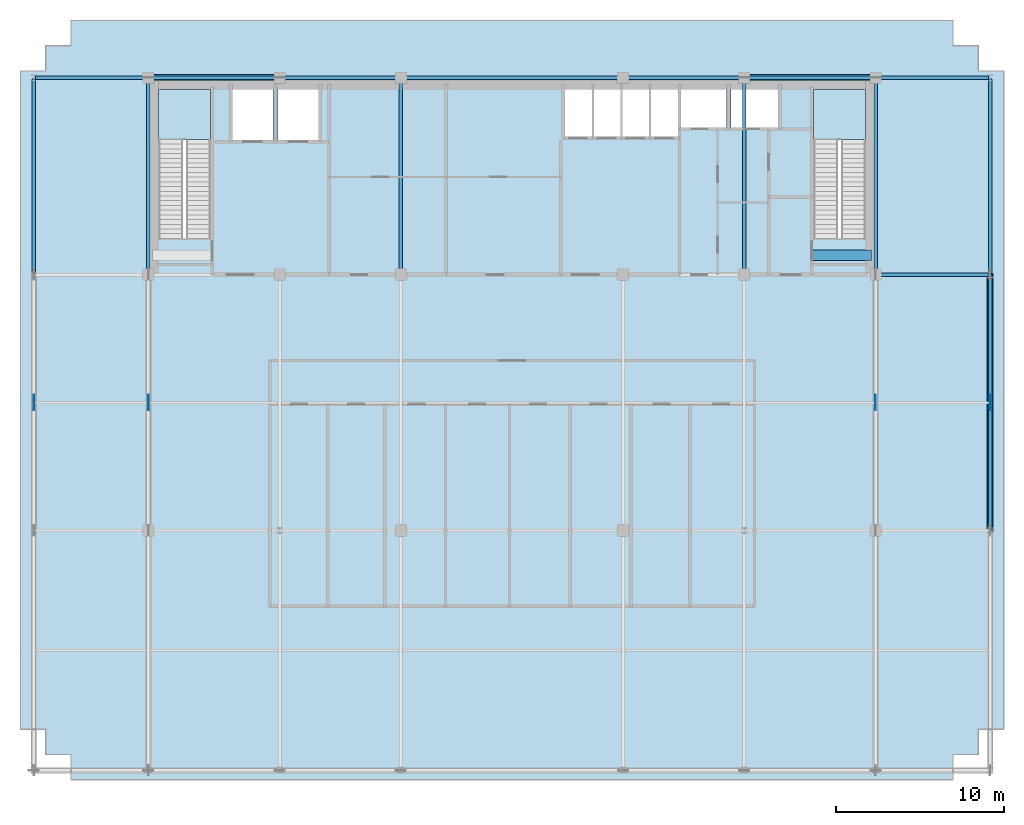
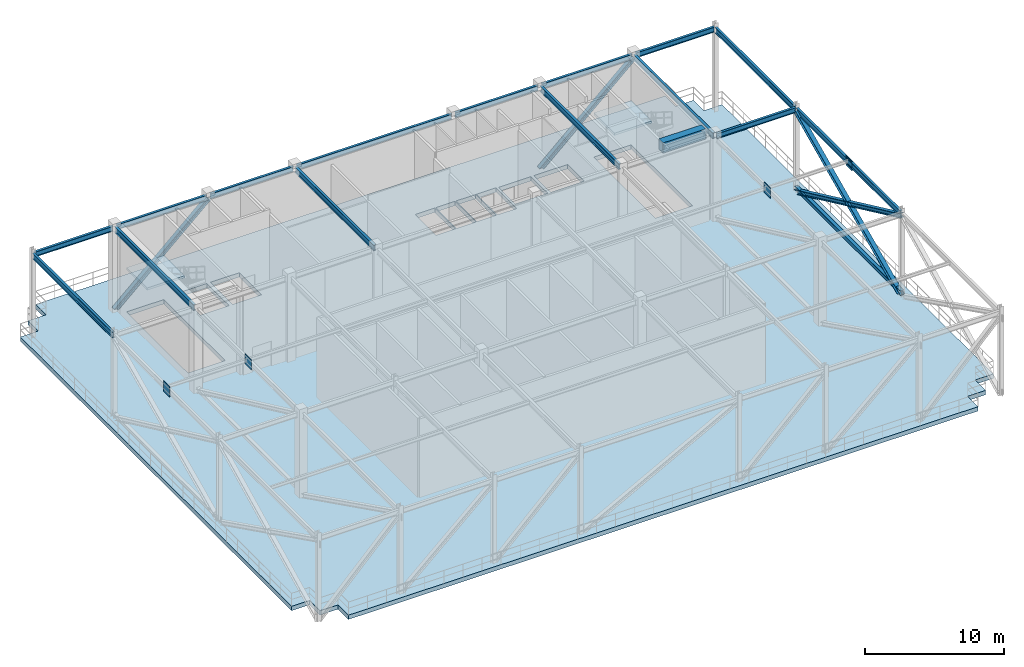
# One storey, part 6 of 15: 16 beams, 5 members, 4 plates, 3 slabs, 2 elements without a shape of their own.
"""IFC4 building model written with IfcOpenShell, lengths in metres."""

import ifcopenshell
import ifcopenshell.guid

model = None  # the IFC model being written
_history = None  # IfcOwnerHistory: only IFC2X3 demands one
_inside = {}  # id of a spatial element -> (the spatial element, [elements in it])
_under = {}  # id of a project, library or spatial element -> (it, [spatial elements below it])
_declared = {}  # id of a project -> (the project, [libraries it declares])
_typed = {}  # id of a type object -> (the type object, [elements of that type])
_made_of = {}  # id of a material, layer set ... -> (it, [elements and type objects made of it])


def new_model(schema):
    """Start an empty IFC model of exactly this schema.

    Asked for "IFC4X3", IfcOpenShell would pick the latest addendum, in which some entities
    have other attributes; the version numbers below select the first issue.
    IFC2X3 requires an IfcOwnerHistory on every rooted entity: one is made here for all.
    """
    global model, _history
    if schema == "IFC4X3":
        model = ifcopenshell.file(schema_version=(4, 3, 0, 0))
    else:
        model = ifcopenshell.file(schema=schema)
    _inside.clear()
    _under.clear()
    _declared.clear()
    _typed.clear()
    _made_of.clear()
    _history = None
    if model.schema == "IFC2X3":
        org = make("IfcOrganization", Name="unknown")
        user = make(
            "IfcPersonAndOrganization",
            ThePerson=make("IfcPerson", FamilyName="unknown"),
            TheOrganization=org,
        )
        app = make(
            "IfcApplication",
            ApplicationDeveloper=org,
            Version="unknown",
            ApplicationFullName="unknown",
            ApplicationIdentifier="unknown",
        )
        _history = make(
            "IfcOwnerHistory",
            OwningUser=user,
            OwningApplication=app,
            ChangeAction="ADDED",
            CreationDate=0,
        )
    return model


def make(cls, **values):
    """One entity of the class cls with the attributes given. An attribute that is None is left unset."""
    return model.create_entity(
        cls, **{name: value for name, value in values.items() if value is not None}
    )


def rooted(cls, **values):
    """An entity with a GlobalId (a new one), such as an element, a storey or a relation."""
    return make(cls, GlobalId=ifcopenshell.guid.new(), OwnerHistory=_history, **values)


def si_unit(unit_type, name, prefix=None):
    """IfcSIUnit, for example si_unit("LENGTHUNIT", "METRE", prefix="MILLI")."""
    return make("IfcSIUnit", UnitType=unit_type, Prefix=prefix, Name=name)


def assignment(units):
    """IfcUnitAssignment: the units of a project."""
    return None if units is None else make("IfcUnitAssignment", Units=units)


def point(xyz):
    """IfcCartesianPoint."""
    return None if xyz is None else make("IfcCartesianPoint", Coordinates=xyz)


def direction(xyz):
    """IfcDirection."""
    return None if xyz is None else make("IfcDirection", DirectionRatios=xyz)


def frame(location, z_axis=None, x_axis=None):
    """IfcAxis2Placement3D, a coordinate frame: its origin and axes. An axis left out is left unset."""
    return make(
        "IfcAxis2Placement3D",
        Location=point(location),
        Axis=direction(z_axis),
        RefDirection=direction(x_axis),
    )


def frame_2d(location, x_axis=None):
    """IfcAxis2Placement2D, a coordinate frame in the plane: its origin and x axis."""
    return make(
        "IfcAxis2Placement2D", Location=point(location), RefDirection=direction(x_axis)
    )


def origin():
    """The frame at (0, 0, 0) with its axes left unset."""
    return frame((0.0, 0.0, 0.0))


def origin_2d():
    """The frame at (0, 0) in the plane with its x axis left unset."""
    return frame_2d((0.0, 0.0))


def place(relative_to, where):
    """IfcLocalPlacement: puts the frame where relative to a parent placement (None: the world)."""
    return make(
        "IfcLocalPlacement", PlacementRelTo=relative_to, RelativePlacement=where
    )


def context(
    kind, dimensions, precision=None, world=None, true_north=None, identifier=None
):
    """IfcGeometricRepresentationContext, for example the 3D "Model" context."""
    return make(
        "IfcGeometricRepresentationContext",
        ContextIdentifier=identifier,
        ContextType=kind,
        CoordinateSpaceDimension=dimensions,
        Precision=precision,
        WorldCoordinateSystem=world,
        TrueNorth=true_north,
    )


def subcontext(parent, identifier, kind, view, scale=None):
    """IfcGeometricRepresentationSubContext, for example "Body" below "Model"."""
    return make(
        "IfcGeometricRepresentationSubContext",
        ContextIdentifier=identifier,
        ContextType=kind,
        ParentContext=parent,
        TargetScale=scale,
        TargetView=view,
    )


def project(units=None, contexts=None):
    """IfcProject with its units and contexts."""
    return rooted(
        "IfcProject",
        Name="project",
        RepresentationContexts=contexts,
        UnitsInContext=assignment(units),
    )


def spatial(cls, under=None, at=None, **own):
    """A site, building, storey or space (cls), placed at a placement, below another one or the project."""
    s = rooted(cls, ObjectPlacement=at, **own)
    if under is not None:
        _under.setdefault(under.id(), (under, []))[1].append(s)
    return s


def polyline(points):
    """IfcPolyline through the points."""
    return make("IfcPolyline", Points=[point(p) for p in points])


def profile(cls, at=None, kind="AREA", **sizes):
    """A parametric profile (cls). Its sizes go by their IFC names, for example OverallWidth=200.0."""
    return make(cls, ProfileType=kind, Position=at, **sizes)


def rectangle(**sizes):
    """IfcRectangleProfileDef."""
    return profile("IfcRectangleProfileDef", **sizes)


def i_section(**sizes):
    """IfcIShapeProfileDef."""
    return profile("IfcIShapeProfileDef", **sizes)


def outline(outer, holes=None, kind="AREA"):
    """IfcArbitraryClosedProfileDef: a profile drawn as a closed curve; with holes, ...WithVoids."""
    if holes is None:
        return make("IfcArbitraryClosedProfileDef", ProfileType=kind, OuterCurve=outer)
    return make(
        "IfcArbitraryProfileDefWithVoids",
        ProfileType=kind,
        OuterCurve=outer,
        InnerCurves=holes,
    )


def extrude(swept, where, along, depth):
    """IfcExtrudedAreaSolid: the profile swept, set in the frame where, extruded along a direction by depth."""
    return make(
        "IfcExtrudedAreaSolid",
        SweptArea=swept,
        Position=where,
        ExtrudedDirection=direction(along),
        Depth=depth,
    )


def shape(context_of_items, identifier, shape_type, items):
    """IfcShapeRepresentation: the items that make up one representation, for example the "Body"."""
    return make(
        "IfcShapeRepresentation",
        ContextOfItems=context_of_items,
        RepresentationIdentifier=identifier,
        RepresentationType=shape_type,
        Items=items,
    )


def source(mapping_origin, context_of_items, identifier, shape_type, items):
    """IfcRepresentationMap: a shape defined once, which mapped items show again and again."""
    return make(
        "IfcRepresentationMap",
        MappingOrigin=mapping_origin,
        MappedRepresentation=shape(context_of_items, identifier, shape_type, items),
    )


def transform(
    local_origin,
    x_axis=None,
    y_axis=None,
    z_axis=None,
    scale=None,
    scale2=None,
    scale3=None,
    uniform=True,
):
    """IfcCartesianTransformationOperator3D, or its non-uniform kind. x_axis, y_axis, z_axis: its Axis1, 2, 3."""
    if uniform:
        return make(
            "IfcCartesianTransformationOperator3D",
            Axis1=direction(x_axis),
            Axis2=direction(y_axis),
            LocalOrigin=point(local_origin),
            Scale=scale,
            Axis3=direction(z_axis),
        )
    return make(
        "IfcCartesianTransformationOperator3DnonUniform",
        Axis1=direction(x_axis),
        Axis2=direction(y_axis),
        LocalOrigin=point(local_origin),
        Scale=scale,
        Axis3=direction(z_axis),
        Scale2=scale2,
        Scale3=scale3,
    )


def mapped(mapping_source, mapping_target):
    """IfcMappedItem: shows the shape of a source again, moved by a transform."""
    return make(
        "IfcMappedItem", MappingSource=mapping_source, MappingTarget=mapping_target
    )


def material(Name=None, Category=None):
    """IfcMaterial."""
    return make("IfcMaterial", Name=Name, Category=Category)


def layer(
    of_material, thickness, ventilated=None, Name=None, Category=None, Priority=None
):
    """IfcMaterialLayer: one layer of a wall or slab, of a material (None: an air gap)."""
    return make(
        "IfcMaterialLayer",
        Material=of_material,
        LayerThickness=thickness,
        IsVentilated=ventilated,
        Name=Name,
        Category=Category,
        Priority=Priority,
    )


def layer_set(layers, Name=None):
    """IfcMaterialLayerSet."""
    return make("IfcMaterialLayerSet", MaterialLayers=layers, LayerSetName=Name)


def material_profile(
    of_material, cross_section, Name=None, Category=None, Priority=None
):
    """IfcMaterialProfile: a cross section and its material."""
    return make(
        "IfcMaterialProfile",
        Name=Name,
        Material=of_material,
        Profile=cross_section,
        Priority=Priority,
        Category=Category,
    )


def profile_set(profiles, Name=None, composite=None):
    """IfcMaterialProfileSet."""
    return make(
        "IfcMaterialProfileSet",
        Name=Name,
        MaterialProfiles=profiles,
        CompositeProfile=composite,
    )


def made_of(thing, what):
    """Note that an element or type object is made of a material, layer set ...; save() writes the relation."""
    if what is not None:
        _made_of.setdefault(what.id(), (what, []))[1].append(thing)
    return thing


def type_object(cls, material=None, **own):
    """A type object (cls), such as IfcWallType, which elements share."""
    return made_of(rooted(cls, **own), material)


def element(
    cls,
    number,
    at=None,
    inside=None,
    cuts=None,
    type_object=None,
    material=None,
    context=None,
    identifier="Body",
    shape_type=None,
    held_by="IfcProductDefinitionShape",
    body=None,
    shapes=None,
    **own,
):
    """One element of the class cls, such as IfcWall. Its Tag is "e" and its number.

    at: its placement. inside: the storey or other place that contains it. cuts: it is an
    opening in that element (IfcRelVoidsElement). A single representation is given by context,
    identifier, shape_type and body (its items); several are given by shapes. held_by: the class
    of the entity that holds the representations. save() writes the other relations.
    """
    e = rooted(cls, Tag="e%d" % number, ObjectPlacement=at, **own)
    if body is not None:
        shapes = [shape(context, identifier, shape_type, body)]
    if shapes is not None:
        e.Representation = make(held_by, Representations=shapes)
    if inside is not None:
        _inside.setdefault(inside.id(), (inside, []))[1].append(e)
    if cuts is not None:
        rooted(
            "IfcRelVoidsElement", RelatingBuildingElement=cuts, RelatedOpeningElement=e
        )
    if type_object is not None:
        _typed.setdefault(type_object.id(), (type_object, []))[1].append(e)
    return made_of(e, material)


def aggregate(whole, parts):
    """IfcRelAggregates: a whole, such as a stair, and the parts it consists of."""
    return rooted("IfcRelAggregates", RelatingObject=whole, RelatedObjects=parts)


def save(model, path):
    """Write the relations noted so far, then the file.

    IfcRelAggregates (storeys below a building ...), IfcRelContainedInSpatialStructure (elements
    in a storey), IfcRelDefinesByType, IfcRelAssociatesMaterial and IfcRelDeclares: one each for
    every whole, place, type object, material and project.
    """
    for whole, parts in _under.values():
        aggregate(whole, parts)
    for where, things in _inside.values():
        rooted(
            "IfcRelContainedInSpatialStructure",
            RelatedElements=things,
            RelatingStructure=where,
        )
    for kind, things in _typed.values():
        rooted("IfcRelDefinesByType", RelatedObjects=things, RelatingType=kind)
    for what, things in _made_of.values():
        rooted("IfcRelAssociatesMaterial", RelatedObjects=things, RelatingMaterial=what)
    for by, libraries in _declared.values():
        rooted("IfcRelDeclares", RelatingContext=by, RelatedDefinitions=libraries)
    model.write(path)


model = new_model("IFC4")

# Units and contexts
model_context = context("Model", 3, precision=1e-05, world=origin(), true_north=direction((0.0, 1.0)))
body_context = subcontext(model_context, "Body", "Model", "MODEL_VIEW")
ifc_project = project(units=[si_unit("LENGTHUNIT", "METRE"), si_unit("AREAUNIT", "SQUARE_METRE"), si_unit("VOLUMEUNIT", "CUBIC_METRE"), si_unit("PLANEANGLEUNIT", "RADIAN"), si_unit("MASSUNIT", "GRAM", prefix="KILO")], contexts=[model_context])

# Site, building, storey
site_placement = place(None, origin())
site = spatial("IfcSite", under=ifc_project, at=site_placement, CompositionType="ELEMENT")
building_placement = place(site_placement, origin())
building = spatial("IfcBuilding", under=site, at=building_placement, Name="Trelvane Seafront Commons", CompositionType="ELEMENT")
storey_placement = place(building_placement, frame((0.0, 0.0, 240.89990234375)))
storey = spatial("IfcBuildingStorey", under=building, at=storey_placement, Name="L63", CompositionType="ELEMENT", Elevation=240.89990234375)

# Beams
ifc_material_1 = material(Name="Concrete C60/75", Category="concrete")
ifc_material_profile_1 = material_profile(ifc_material_1, rectangle(XDim=0.60009765625, YDim=0.89990234375, at=origin_2d()), Name="RC-600x900")
ifc_profile_set_1 = profile_set([ifc_material_profile_1], Name="Concrete C60/75")
beam_type_1 = type_object("IfcBeamType", Name="STR-LNT-RC600x900", PredefinedType="LINTEL", material=ifc_profile_set_1)
shared_shape_1 = source(origin(), body_context, "Body", "SweptSolid", [
    extrude(rectangle(XDim=0.60009765625, YDim=0.89990234375, at=origin_2d()), origin(), (0.0, 0.0, 1.0), 3.550048828125),
])
beam_1_placement = place(storey_placement, frame((55.0, 34.550048828125, 6.989990234375), z_axis=(1.0, 0.0, 0.0), x_axis=(0.0, 1.0, 0.0)))
element("IfcBeam", 1, at=beam_1_placement, inside=storey, type_object=beam_type_1, Name="L63 Core Coupling Lintel Beam CB-68", PredefinedType="LINTEL", context=body_context, shape_type="MappedRepresentation", body=[
    mapped(shared_shape_1, transform((0.0, 0.0, 0.0), x_axis=(1.0, 0.0, 0.0), y_axis=(0.0, 1.0, 0.0), z_axis=(0.0, 0.0, 1.0), scale=1.0)),
])
ifc_material_2 = material(Name="Steel SM355 (S355)", Category="steel")
ifc_material_profile_2 = material_profile(ifc_material_2, i_section(OverallWidth=0.199951171875, OverallDepth=0.5, WebThickness=0.010009765625, FlangeThickness=0.01611328125, at=origin_2d()), Name="H-500x200x10x16")
ifc_profile_set_2 = profile_set([ifc_material_profile_2], Name="Steel SM355 (S355)")
beam_type_2 = type_object("IfcBeamType", Name="STR-BM-H500", PredefinedType="BEAM", material=ifc_profile_set_2)
shared_shape_2 = source(origin(), body_context, "Body", "SweptSolid", [
    extrude(i_section(OverallWidth=0.199951171875, OverallDepth=0.5, WebThickness=0.010009765625, FlangeThickness=0.01611328125, at=origin_2d()), origin(), (0.0, 0.0, 1.0), 11.39990234375),
])
for number, where, z_axis, x_axis, name in (
    (2, (15.60009765625, 33.550048828125, 7.190185546875), (0.0, 1.0, 0.0), (-1.0, 0.0, 0.0), "L63 Primary Girder G-34"),
    (3, (30.60009765625, 33.550048828125, 7.190185546875), (0.0, 1.0, 0.0), (-1.0, 0.0, 0.0), "L63 Primary Girder G-40"),
    (4, (51.0, 33.550048828125, 7.190185546875), (0.0, 1.0, 0.0), (-1.0, 0.0, 0.0), "L63 Primary Girder G-46"),
    (5, (58.800048828125, 33.550048828125, 7.190185546875), (0.0, 1.0, 0.0), (-1.0, 0.0, 0.0), "L63 Primary Girder G-49"),
):
    element("IfcBeam", number, at=place(storey_placement, frame(where, z_axis=z_axis, x_axis=x_axis)), inside=storey, type_object=beam_type_2, Name=name, PredefinedType="BEAM", context=body_context, shape_type="MappedRepresentation", body=[
        mapped(shared_shape_2, transform((0.0, 0.0, 0.0), x_axis=(1.0, 0.0, 0.0), y_axis=(0.0, 1.0, 0.0), z_axis=(0.0, 0.0, 1.0), scale=1.0)),
    ])
ifc_material_profile_3 = material_profile(ifc_material_2, i_section(OverallWidth=0.199951171875, OverallDepth=0.449951171875, WebThickness=0.009033203125, FlangeThickness=0.013916015625, at=origin_2d()), Name="H-450x200x9x14")
ifc_profile_set_3 = profile_set([ifc_material_profile_3], Name="Steel SM355 (S355)")
beam_type_3 = type_object("IfcBeamType", Name="STR-SPD-H450", PredefinedType="SPANDREL", material=ifc_profile_set_3)
shared_shape_3 = source(origin(), body_context, "Body", "SweptSolid", [
    extrude(i_section(OverallWidth=0.199951171875, OverallDepth=0.449951171875, WebThickness=0.009033203125, FlangeThickness=0.013916015625, at=origin_2d()), origin(), (0.0, 0.0, 1.0), 6.5625),
])
for number, where, z_axis, x_axis, name in (
    (6, (58.949951171875, 33.39990234375, 7.215087890625), (1.0, 0.0, 0.0), (0.0, 1.0, 0.0), "L63 Primary Girder G-21"),
    (7, (8.887451171875, 45.10009765625, 7.215087890625), (1.0, 0.0, 0.0), (0.0, 1.0, 0.0), "L63 Primary Girder G-22"),
    (8, (58.949951171875, 45.10009765625, 7.215087890625), (1.0, 0.0, 0.0), (0.0, 1.0, 0.0), "L63 Primary Girder G-28"),
):
    element("IfcBeam", number, at=place(storey_placement, frame(where, z_axis=z_axis, x_axis=x_axis)), inside=storey, type_object=beam_type_3, Name=name, PredefinedType="SPANDREL", context=body_context, shape_type="MappedRepresentation", body=[
        mapped(shared_shape_3, transform((0.0, 0.0, 0.0), x_axis=(1.0, 0.0, 0.0), y_axis=(0.0, 1.0, 0.0), z_axis=(0.0, 0.0, 1.0), scale=1.0)),
    ])
shared_shape_4 = source(origin(), body_context, "Body", "SweptSolid", [
    extrude(i_section(OverallWidth=0.199951171875, OverallDepth=0.449951171875, WebThickness=0.009033203125, FlangeThickness=0.013916015625, at=origin_2d()), origin(), (0.0, 0.0, 1.0), 7.5),
])
for number, where, z_axis, x_axis, name in (
    (9, (15.75, 45.10009765625, 7.215087890625), (1.0, 0.0, 0.0), (0.0, 1.0, 0.0), "L63 Primary Girder G-23"),
    (10, (51.14990234375, 45.10009765625, 7.215087890625), (1.0, 0.0, 0.0), (0.0, 1.0, 0.0), "L63 Primary Girder G-27"),
):
    element("IfcBeam", number, at=place(storey_placement, frame(where, z_axis=z_axis, x_axis=x_axis)), inside=storey, type_object=beam_type_3, Name=name, PredefinedType="SPANDREL", context=body_context, shape_type="MappedRepresentation", body=[
        mapped(shared_shape_4, transform((0.0, 0.0, 0.0), x_axis=(1.0, 0.0, 0.0), y_axis=(0.0, 1.0, 0.0), z_axis=(0.0, 0.0, 1.0), scale=1.0)),
    ])
shared_shape_5 = source(origin(), body_context, "Body", "SweptSolid", [
    extrude(i_section(OverallWidth=0.199951171875, OverallDepth=0.449951171875, WebThickness=0.009033203125, FlangeThickness=0.013916015625, at=origin_2d()), origin(), (0.0, 0.0, 1.0), 6.89990234375),
])
beam_2_placement = place(storey_placement, frame((23.550048828125, 45.10009765625, 7.215087890625), z_axis=(1.0, 0.0, 0.0), x_axis=(0.0, 1.0, 0.0)))
element("IfcBeam", 11, at=beam_2_placement, inside=storey, type_object=beam_type_3, Name="L63 Primary Girder G-24", PredefinedType="SPANDREL", context=body_context, shape_type="MappedRepresentation", body=[
    mapped(shared_shape_5, transform((0.0, 0.0, 0.0), x_axis=(1.0, 0.0, 0.0), y_axis=(0.0, 1.0, 0.0), z_axis=(0.0, 0.0, 1.0), scale=1.0)),
])
shared_shape_6 = source(origin(), body_context, "Body", "SweptSolid", [
    extrude(i_section(OverallWidth=0.199951171875, OverallDepth=0.449951171875, WebThickness=0.009033203125, FlangeThickness=0.013916015625, at=origin_2d()), origin(), (0.0, 0.0, 1.0), 12.89990234375),
])
beam_3_placement = place(storey_placement, frame((30.75, 45.10009765625, 7.215087890625), z_axis=(1.0, 0.0, 0.0), x_axis=(0.0, 1.0, 0.0)))
element("IfcBeam", 12, at=beam_3_placement, inside=storey, type_object=beam_type_3, Name="L63 Primary Girder G-25", PredefinedType="SPANDREL", context=body_context, shape_type="MappedRepresentation", body=[
    mapped(shared_shape_6, transform((0.0, 0.0, 0.0), x_axis=(1.0, 0.0, 0.0), y_axis=(0.0, 1.0, 0.0), z_axis=(0.0, 0.0, 1.0), scale=1.0)),
])
shared_shape_7 = source(origin(), body_context, "Body", "SweptSolid", [
    extrude(i_section(OverallWidth=0.199951171875, OverallDepth=0.449951171875, WebThickness=0.009033203125, FlangeThickness=0.013916015625, at=origin_2d()), origin(), (0.0, 0.0, 1.0), 6.900146484375),
])
beam_4_placement = place(storey_placement, frame((43.949951171875, 45.10009765625, 7.215087890625), z_axis=(1.0, 0.0, 0.0), x_axis=(0.0, 1.0, 0.0)))
element("IfcBeam", 13, at=beam_4_placement, inside=storey, type_object=beam_type_3, Name="L63 Primary Girder G-26", PredefinedType="SPANDREL", context=body_context, shape_type="MappedRepresentation", body=[
    mapped(shared_shape_7, transform((0.0, 0.0, 0.0), x_axis=(1.0, 0.0, 0.0), y_axis=(0.0, 1.0, 0.0), z_axis=(0.0, 0.0, 1.0), scale=1.0)),
])
shared_shape_8 = source(origin(), body_context, "Body", "SweptSolid", [
    extrude(i_section(OverallWidth=0.199951171875, OverallDepth=0.5, WebThickness=0.010009765625, FlangeThickness=0.01611328125, at=origin_2d()), origin(), (0.0, 0.0, 1.0), 15.02490234375),
])
beam_5_placement = place(storey_placement, frame((65.60009765625, 18.28759765625, 7.190185546875), z_axis=(0.0, 1.0, 0.0), x_axis=(-1.0, 0.0, 0.0)))
element("IfcBeam", 14, at=beam_5_placement, inside=storey, type_object=beam_type_2, Name="L63 Primary Girder G-51", PredefinedType="BEAM", context=body_context, shape_type="MappedRepresentation", body=[
    mapped(shared_shape_8, transform((0.0, 0.0, 0.0), x_axis=(1.0, 0.0, 0.0), y_axis=(0.0, 1.0, 0.0), z_axis=(0.0, 0.0, 1.0), scale=1.0)),
])
shared_shape_9 = source(origin(), body_context, "Body", "SweptSolid", [
    extrude(i_section(OverallWidth=0.199951171875, OverallDepth=0.5, WebThickness=0.010009765625, FlangeThickness=0.01611328125, at=origin_2d()), origin(), (0.0, 0.0, 1.0), 11.52490234375),
])
for number, where, z_axis, x_axis, name in (
    (15, (8.800048828125, 33.487548828125, 7.190185546875), (0.0, 1.0, 0.0), (-1.0, 0.0, 0.0), "L63 Primary Girder G-31"),
    (16, (65.60009765625, 33.487548828125, 7.190185546875), (0.0, 1.0, 0.0), (-1.0, 0.0, 0.0), "L63 Primary Girder G-52"),
):
    element("IfcBeam", number, at=place(storey_placement, frame(where, z_axis=z_axis, x_axis=x_axis)), inside=storey, type_object=beam_type_2, Name=name, PredefinedType="BEAM", context=body_context, shape_type="MappedRepresentation", body=[
        mapped(shared_shape_9, transform((0.0, 0.0, 0.0), x_axis=(1.0, 0.0, 0.0), y_axis=(0.0, 1.0, 0.0), z_axis=(0.0, 0.0, 1.0), scale=1.0)),
    ])

# Members
ifc_material_profile_4 = material_profile(ifc_material_2, i_section(OverallWidth=0.280029296875, OverallDepth=0.64990234375, WebThickness=0.012939453125, FlangeThickness=0.02197265625, at=origin_2d()), Name="H-650x280x13x22")
ifc_profile_set_4 = profile_set([ifc_material_profile_4], Name="Steel SM355 (S355)")
member_type_1 = type_object("IfcMemberType", Name="STR-CHD-H650", PredefinedType="CHORD", material=ifc_profile_set_4)
shared_shape_10 = source(origin(), body_context, "Body", "SweptSolid", [
    extrude(i_section(OverallWidth=0.280029296875, OverallDepth=0.64990234375, WebThickness=0.012939453125, FlangeThickness=0.02197265625, at=origin_2d()), origin(), (0.0, 0.0, 1.0), 15.199951171875),
])
member_placement = place(storey_placement, frame((65.60009765625, 18.199951171875, 0.16015625), z_axis=(0.0, 1.0, 0.0), x_axis=(-1.0, 0.0, 0.0)))
element("IfcMember", 17, at=member_placement, inside=storey, type_object=member_type_1, Name="L63 Outrigger Bottom Chord CH-4", PredefinedType="CHORD", context=body_context, shape_type="MappedRepresentation", body=[
    mapped(shared_shape_10, transform((0.0, 0.0, 0.0), x_axis=(1.0, 0.0, 0.0), y_axis=(0.0, 1.0, 0.0), z_axis=(0.0, 0.0, 1.0), scale=1.0)),
])
ifc_material_profile_5 = material_profile(ifc_material_2, i_section(OverallWidth=0.35009765625, OverallDepth=0.35009765625, WebThickness=0.01806640625, FlangeThickness=0.028076171875, at=origin_2d()), Name="HD-350x350x18x28")
ifc_profile_set_5 = profile_set([ifc_material_profile_5], Name="Steel SM355 (S355)")
member_type_2 = type_object("IfcMemberType", Name="STR-BRC-HD350", PredefinedType="BRACE", material=ifc_profile_set_5)
shared_shape_11 = source(origin(), body_context, "Body", "SweptSolid", [
    extrude(i_section(OverallWidth=0.35009765625, OverallDepth=0.35009765625, WebThickness=0.01806640625, FlangeThickness=0.028076171875, at=origin_2d()), origin(), (0.0, 0.0, 1.0), 16.772216796875),
])
for number, where, z_axis, x_axis, name in (
    (18, (65.60009765625, 33.39990234375, 0.0), (0.0, -0.906256757443, 0.422727677812), (1.0, 0.0, 0.0), "L63 Outrigger Truss Diagonal OB-4A"),
    (19, (65.60009765625, 18.199951171875, 0.0), (0.0, 0.906256757443, 0.422727677812), (-1.0, 0.0, 0.0), "L63 Flank Belt Truss Brace BTE-4"),
):
    element("IfcMember", number, at=place(storey_placement, frame(where, z_axis=z_axis, x_axis=x_axis)), inside=storey, type_object=member_type_2, Name=name, PredefinedType="BRACE", context=body_context, shape_type="MappedRepresentation", body=[
        mapped(shared_shape_11, transform((0.0, 0.0, 0.0), x_axis=(1.0, 0.0, 0.0), y_axis=(0.0, 1.0, 0.0), z_axis=(0.0, 0.0, 1.0), scale=1.0)),
    ])
shared_shape_12 = source(origin(), body_context, "Body", "SweptSolid", [
    extrude(i_section(OverallWidth=0.35009765625, OverallDepth=0.35009765625, WebThickness=0.01806640625, FlangeThickness=0.028076171875, at=origin_2d()), origin(), (0.0, 0.0, 1.0), 10.540771484375),
])
for number, where, z_axis, x_axis, name in (
    (20, (15.60009765625, 45.10009765625, 0.0), (0.739970465841, 0.0, 0.672639360789), (0.0, 1.0, 0.0), "L63 North Belt Truss Brace BTN-1"),
    (21, (51.0, 45.10009765625, 0.0), (0.739980944944, 0.0, 0.672627832549), (0.0, 1.0, 0.0), "L63 North Belt Truss Brace BTN-2"),
):
    element("IfcMember", number, at=place(storey_placement, frame(where, z_axis=z_axis, x_axis=x_axis)), inside=storey, type_object=member_type_2, Name=name, PredefinedType="BRACE", context=body_context, shape_type="MappedRepresentation", body=[
        mapped(shared_shape_12, transform((0.0, 0.0, 0.0), x_axis=(1.0, 0.0, 0.0), y_axis=(0.0, 1.0, 0.0), z_axis=(0.0, 0.0, 1.0), scale=1.0)),
    ])

# Stair, slab
ifc_material_3 = material(Name="Concrete C40/50", Category="concrete")
stair_type_1 = type_object("IfcStairType", Name="ARCH-STR-ST-1-R44-177", PredefinedType="HALF_TURN_STAIR", material=ifc_material_3)
stair_1_placement = place(storey_placement, origin())
stair_1 = element("IfcStair", 22, at=stair_1_placement, inside=storey, type_object=stair_type_1, Name="L63 West Protected Firefighting Exit Stair ST-1", PredefinedType="HALF_TURN_STAIR")
ifc_layer_1 = layer(ifc_material_3, 0.199951171875, Name="ARCH-LND-200")
ifc_layer_set_1 = layer_set([ifc_layer_1], Name="Concrete C40/50")
slab_type_1 = type_object("IfcSlabType", Name="ARCH-LND-200", PredefinedType="LANDING", material=ifc_layer_set_1)
slab_1_placement = place(storey_placement, frame((0.0, 0.0, 3.7001953125)))
slab_1 = element("IfcSlab", 23, at=slab_1_placement, type_object=slab_type_1, Name="ST-1 landing 1", PredefinedType="LANDING", context=body_context, shape_type="SweptSolid", body=[
    extrude(outline(polyline([(19.300048828125, 41.429931640625), (19.300048828125, 44.39990234375), (16.199951171875, 44.39990234375), (16.199951171875, 41.429931640625), (19.300048828125, 41.429931640625)])), origin(), (0.0, 0.0, 1.0), 0.199951171875),
])
aggregate(stair_1, [slab_1])

stair_type_2 = type_object("IfcStairType", Name="ARCH-STR-ST-2-R44-177", PredefinedType="HALF_TURN_STAIR", material=ifc_material_3)
stair_2_placement = place(storey_placement, origin())
stair_2 = element("IfcStair", 24, at=stair_2_placement, inside=storey, type_object=stair_type_2, Name="L63 East Protected Firefighting Exit Stair ST-2", PredefinedType="HALF_TURN_STAIR")
slab_2_placement = place(storey_placement, frame((0.0, 0.0, 3.7001953125)))
slab_2 = element("IfcSlab", 25, at=slab_2_placement, type_object=slab_type_1, Name="ST-2 landing 1", PredefinedType="LANDING", context=body_context, shape_type="SweptSolid", body=[
    extrude(outline(polyline([(58.199951171875, 41.429931640625), (58.199951171875, 44.39990234375), (55.10009765625, 44.39990234375), (55.10009765625, 41.429931640625), (58.199951171875, 41.429931640625)])), origin(), (0.0, 0.0, 1.0), 0.199951171875),
])
aggregate(stair_2, [slab_2])

# Slab
ifc_layer_2 = layer(ifc_material_1, 0.3798828125, Name="STR-SLB-T380")
ifc_layer_set_2 = layer_set([ifc_layer_2], Name="Concrete C60/75")
slab_type_2 = type_object("IfcSlabType", Name="STR-SLB-T380", PredefinedType="FLOOR", material=ifc_layer_set_2)
slab_3_placement = place(storey_placement, frame((0.0, 0.0, -0.3798828125)))
element("IfcSlab", 26, at=slab_3_placement, inside=storey, type_object=slab_type_2, Name="L63 Structural Floor Slab", PredefinedType="FLOOR", context=body_context, shape_type="SweptSolid", body=[
    extrude(outline(polyline([(11.0, 3.39990234375), (63.39990234375, 3.39990234375), (63.39990234375, 4.89990234375), (64.89990234375, 4.89990234375), (64.89990234375, 6.39990234375), (66.39990234375, 6.39990234375), (66.39990234375, 45.5), (64.89990234375, 45.5), (64.89990234375, 47.0), (63.39990234375, 47.0), (63.39990234375, 48.5), (11.0, 48.5), (11.0, 47.0), (9.5, 47.0), (9.5, 45.5), (8.0, 45.5), (8.0, 6.39990234375), (9.5, 6.39990234375), (9.5, 4.89990234375), (11.0, 4.89990234375), (11.0, 3.39990234375)]), holes=[polyline([(19.300048828125, 35.550048828125), (16.199951171875, 35.550048828125), (16.199951171875, 44.39990234375), (19.300048828125, 44.39990234375), (19.300048828125, 35.550048828125)]), polyline([(58.199951171875, 35.550048828125), (55.10009765625, 35.550048828125), (55.10009765625, 44.39990234375), (58.199951171875, 44.39990234375), (58.199951171875, 35.550048828125)]), polyline([(23.0, 41.39990234375), (20.60009765625, 41.39990234375), (20.60009765625, 44.60009765625), (23.0, 44.60009765625), (23.0, 41.39990234375)]), polyline([(23.300048828125, 41.39990234375), (23.300048828125, 44.60009765625), (25.699951171875, 44.60009765625), (25.699951171875, 41.39990234375), (23.300048828125, 41.39990234375)]), polyline([(40.35009765625, 41.60009765625), (40.35009765625, 44.60009765625), (41.969970703125, 44.60009765625), (41.969970703125, 41.60009765625), (40.35009765625, 41.60009765625)]), polyline([(43.669921875, 41.60009765625), (42.050048828125, 41.60009765625), (42.050048828125, 44.60009765625), (43.669921875, 44.60009765625), (43.669921875, 41.60009765625)]), polyline([(45.3701171875, 41.60009765625), (43.75, 41.60009765625), (43.75, 44.60009765625), (45.3701171875, 44.60009765625), (45.3701171875, 41.60009765625)]), polyline([(47.070068359375, 41.60009765625), (45.449951171875, 41.60009765625), (45.449951171875, 44.60009765625), (47.070068359375, 44.60009765625), (47.070068359375, 41.60009765625)]), polyline([(47.25, 42.14990234375), (47.25, 44.550048828125), (49.949951171875, 44.550048828125), (49.949951171875, 42.14990234375), (47.25, 42.14990234375)]), polyline([(50.199951171875, 42.14990234375), (50.199951171875, 44.550048828125), (53.0, 44.550048828125), (53.0, 42.14990234375), (50.199951171875, 42.14990234375)])]), origin(), (0.0, 0.0, 1.0), 0.3798828125),
])

# Plates
ifc_layer_3 = layer(ifc_material_2, 0.035888671875, Name="STR-PLT-GUS1")
ifc_layer_set_3 = layer_set([ifc_layer_3], Name="Steel SM355 (S355)")
plate_type = type_object("IfcPlateType", Name="STR-PLT-GUS1", PredefinedType="SHEET", material=ifc_layer_set_3)
shared_shape_13 = source(origin(), body_context, "Body", "SweptSolid", [
    extrude(rectangle(XDim=0.035888671875, YDim=0.89990234375, at=origin_2d()), origin(), (0.0, 0.0, 1.0), 0.89990234375),
])
for number, where, z_axis, x_axis, name in (
    (27, (8.800048828125, 25.800048828125, 6.64013671875), (0.0, 0.0, 1.0), (1.0, 0.0, 0.0), "L63 Outrigger Gusset Plate ON1-1"),
    (28, (15.60009765625, 25.800048828125, 6.64013671875), (0.0, 0.0, 1.0), (1.0, 0.0, 0.0), "L63 Outrigger Gusset Plate ON1-2"),
    (29, (58.800048828125, 25.800048828125, 6.64013671875), (0.0, 0.0, 1.0), (1.0, 0.0, 0.0), "L63 Outrigger Gusset Plate ON1-3"),
    (30, (65.60009765625, 25.800048828125, 6.64013671875), (0.0, 0.0, 1.0), (1.0, 0.0, 0.0), "L63 Outrigger Gusset Plate ON1-4"),
):
    element("IfcPlate", number, at=place(storey_placement, frame(where, z_axis=z_axis, x_axis=x_axis)), inside=storey, type_object=plate_type, Name=name, PredefinedType="SHEET", context=body_context, shape_type="MappedRepresentation", body=[
        mapped(shared_shape_13, transform((0.0, 0.0, 0.0), x_axis=(1.0, 0.0, 0.0), y_axis=(0.0, 1.0, 0.0), z_axis=(0.0, 0.0, 1.0), scale=1.0)),
    ])

save(model, "model.ifc")
